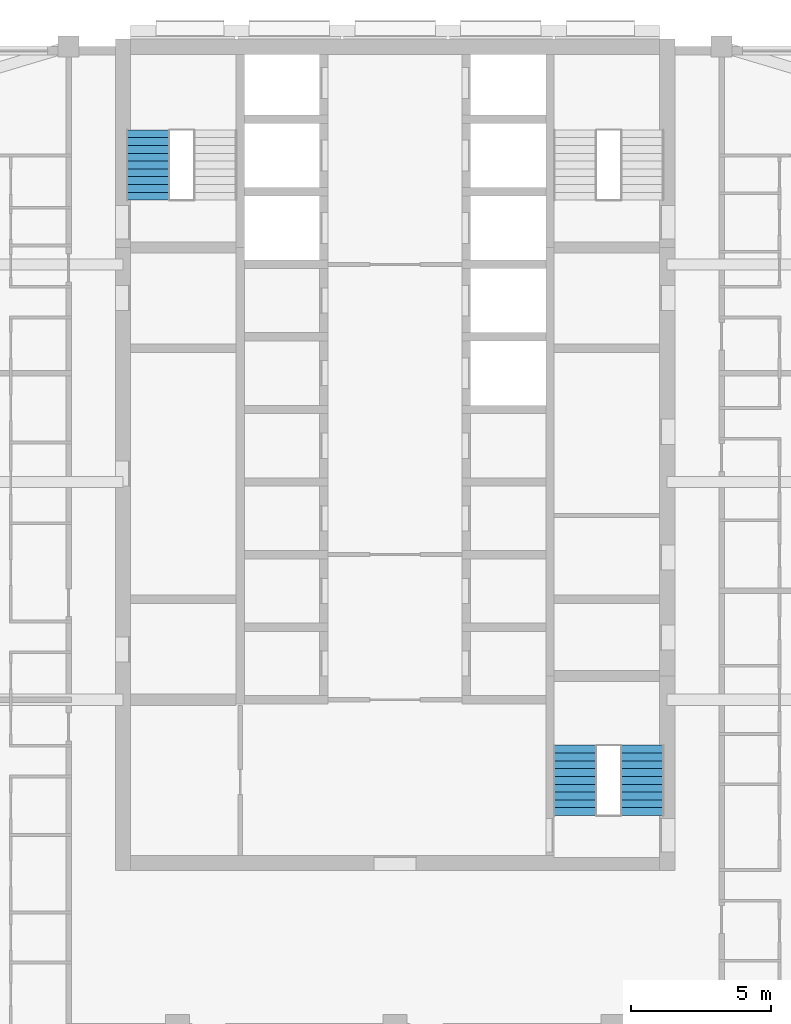
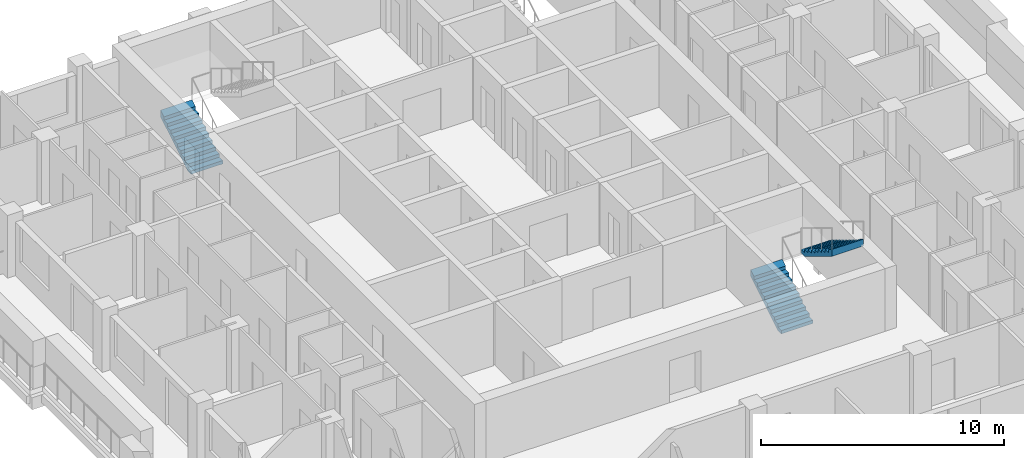
# One storey, part 10 of 13: 3 stair flights, 2 elements without a shape of their own.
"""IFC4 building model written with IfcOpenShell, lengths in metres."""

from ifc_helpers import new_model, si_unit, direction, frame, origin, place, context, subcontext, project, spatial, triangles, material, type_object, element, aggregate, save


model = new_model("IFC4")

# Units and contexts
model_context = context("Model", 3, precision=1e-05, world=origin(), true_north=direction((0.0, 1.0)))
body_context = subcontext(model_context, "Body", "Model", "MODEL_VIEW")
ifc_project = project(units=[si_unit("LENGTHUNIT", "METRE"), si_unit("AREAUNIT", "SQUARE_METRE"), si_unit("VOLUMEUNIT", "CUBIC_METRE"), si_unit("PLANEANGLEUNIT", "RADIAN"), si_unit("MASSUNIT", "GRAM", prefix="KILO")], contexts=[model_context])

# Site, building, storey
site_placement = place(None, origin())
site = spatial("IfcSite", under=ifc_project, at=site_placement, CompositionType="ELEMENT")
building_placement = place(site_placement, origin())
building = spatial("IfcBuilding", under=site, at=building_placement, Name="Ludao Terraces", CompositionType="ELEMENT")
storey_placement = place(building_placement, frame((0.0, 0.0, 155.39990234375)))
storey = spatial("IfcBuildingStorey", under=building, at=storey_placement, Name="L42", CompositionType="ELEMENT", Elevation=155.39990234375)

# Stair, stair flight
ifc_material = material(Name="Concrete C40", Category="concrete")
stair_type = type_object("IfcStairType", Name="INT Stair", PredefinedType="HALF_TURN_STAIR", material=ifc_material)
stair_1_placement = place(storey_placement, origin())
stair_1 = element("IfcStair", 1, at=stair_1_placement, inside=storey, type_object=stair_type, Name="EXIT STAIR 1", PredefinedType="HALF_TURN_STAIR")
stair_flight_type = type_object("IfcStairFlightType", Name="INT Stair flight", PredefinedType="STRAIGHT", material=ifc_material)
stair_flight_1_placement = place(storey_placement, frame((76.14990234375, 79.0, 0.0), z_axis=(0.0, 0.0, 1.0), x_axis=(0.0, 1.0, 0.0)))
stair_flight_1 = element("IfcStairFlight", 2, at=stair_flight_1_placement, type_object=stair_flight_type, Name="ST1 flight 1", NumberOfRisers=10, NumberOfTreads=9, PredefinedType="STRAIGHT", RiserHeight=0.17, TreadLength=0.28, context=body_context, shape_type="Tessellation", body=[
    triangles([(0.0, -0.75, 0.0), (0.0, -0.5, 0.0), (0.0, -0.25, 0.0), (0.0, 0.0, 0.0), (0.0, 0.25, 0.0), (0.0, 0.5, 0.0), (0.0, 0.75, 0.0), (0.0, -0.75, 0.169921875), (0.0, -0.5, 0.169921875), (0.0, -0.25, 0.169921875), (0.0, 0.0, 0.169921875), (0.0, 0.25, 0.169921875), (0.0, 0.5, 0.169921875), (0.0, 0.75, 0.169921875), (0.280029296875, -0.75, 0.169921875), (0.280029296875, -0.5, 0.169921875), (0.280029296875, -0.25, 0.169921875), (0.280029296875, 0.0, 0.169921875), (0.280029296875, 0.25, 0.169921875), (0.280029296875, 0.5, 0.169921875), (0.280029296875, 0.75, 0.169921875), (0.280029296875, -0.75, 0.340087890625), (0.280029296875, -0.5, 0.340087890625), (0.280029296875, -0.25, 0.340087890625), (0.280029296875, 0.0, 0.340087890625), (0.280029296875, 0.25, 0.340087890625), (0.280029296875, 0.5, 0.340087890625), (0.280029296875, 0.75, 0.340087890625), (0.56005859375, -0.75, 0.340087890625), (0.56005859375, -0.5, 0.340087890625), (0.56005859375, -0.25, 0.340087890625), (0.56005859375, 0.0, 0.340087890625), (0.56005859375, 0.25, 0.340087890625), (0.56005859375, 0.5, 0.340087890625), (0.56005859375, 0.75, 0.340087890625), (0.56005859375, -0.75, 0.510009765625), (0.56005859375, -0.5, 0.510009765625), (0.56005859375, -0.25, 0.510009765625), (0.56005859375, 0.0, 0.510009765625), (0.56005859375, 0.25, 0.510009765625), (0.56005859375, 0.5, 0.510009765625), (0.56005859375, 0.75, 0.510009765625), (0.840087890625, -0.75, 0.510009765625), (0.840087890625, -0.5, 0.510009765625), (0.840087890625, -0.25, 0.510009765625), (0.840087890625, 0.0, 0.510009765625), (0.840087890625, 0.25, 0.510009765625), (0.840087890625, 0.5, 0.510009765625), (0.840087890625, 0.75, 0.510009765625), (0.840087890625, -0.75, 0.679931640625), (0.840087890625, -0.5, 0.679931640625), (0.840087890625, -0.25, 0.679931640625), (0.840087890625, 0.0, 0.679931640625), (0.840087890625, 0.25, 0.679931640625), (0.840087890625, 0.5, 0.679931640625), (0.840087890625, 0.75, 0.679931640625), (1.1201171875, -0.75, 0.679931640625), (1.1201171875, -0.5, 0.679931640625), (1.1201171875, -0.25, 0.679931640625), (1.1201171875, 0.0, 0.679931640625), (1.1201171875, 0.25, 0.679931640625), (1.1201171875, 0.5, 0.679931640625), (1.1201171875, 0.75, 0.679931640625), (1.1201171875, -0.75, 0.85009765625), (1.1201171875, -0.5, 0.85009765625), (1.1201171875, -0.25, 0.85009765625), (1.1201171875, 0.0, 0.85009765625), (1.1201171875, 0.25, 0.85009765625), (1.1201171875, 0.5, 0.85009765625), (1.1201171875, 0.75, 0.85009765625), (1.39990234375, -0.75, 0.85009765625), (1.39990234375, -0.5, 0.85009765625), (1.39990234375, -0.25, 0.85009765625), (1.39990234375, 0.0, 0.85009765625), (1.39990234375, 0.25, 0.85009765625), (1.39990234375, 0.5, 0.85009765625), (1.39990234375, 0.75, 0.85009765625), (1.39990234375, -0.75, 1.02001953125), (1.39990234375, -0.5, 1.02001953125), (1.39990234375, -0.25, 1.02001953125), (1.39990234375, 0.0, 1.02001953125), (1.39990234375, 0.25, 1.02001953125), (1.39990234375, 0.5, 1.02001953125), (1.39990234375, 0.75, 1.02001953125), (1.679931640625, -0.75, 1.02001953125), (1.679931640625, -0.5, 1.02001953125), (1.679931640625, -0.25, 1.02001953125), (1.679931640625, 0.0, 1.02001953125), (1.679931640625, 0.25, 1.02001953125), (1.679931640625, 0.5, 1.02001953125), (1.679931640625, 0.75, 1.02001953125), (1.679931640625, -0.75, 1.18994140625), (1.679931640625, -0.5, 1.18994140625), (1.679931640625, -0.25, 1.18994140625), (1.679931640625, 0.0, 1.18994140625), (1.679931640625, 0.25, 1.18994140625), (1.679931640625, 0.5, 1.18994140625), (1.679931640625, 0.75, 1.18994140625), (1.9599609375, -0.75, 1.18994140625), (1.9599609375, -0.5, 1.18994140625), (1.9599609375, -0.25, 1.18994140625), (1.9599609375, 0.0, 1.18994140625), (1.9599609375, 0.25, 1.18994140625), (1.9599609375, 0.5, 1.18994140625), (1.9599609375, 0.75, 1.18994140625), (1.9599609375, -0.75, 1.360107421875), (1.9599609375, -0.5, 1.360107421875), (1.9599609375, -0.25, 1.360107421875), (1.9599609375, 0.0, 1.360107421875), (1.9599609375, 0.25, 1.360107421875), (1.9599609375, 0.5, 1.360107421875), (1.9599609375, 0.75, 1.360107421875), (2.239990234375, -0.75, 1.360107421875), (2.239990234375, -0.5, 1.360107421875), (2.239990234375, -0.25, 1.360107421875), (2.239990234375, 0.0, 1.360107421875), (2.239990234375, 0.25, 1.360107421875), (2.239990234375, 0.5, 1.360107421875), (2.239990234375, 0.75, 1.360107421875), (2.239990234375, -0.75, 1.530029296875), (2.239990234375, -0.5, 1.530029296875), (2.239990234375, -0.25, 1.530029296875), (2.239990234375, 0.0, 1.530029296875), (2.239990234375, 0.25, 1.530029296875), (2.239990234375, 0.5, 1.530029296875), (2.239990234375, 0.75, 1.530029296875), (2.52001953125, -0.75, 1.699951171875), (2.52001953125, -0.5, 1.699951171875), (2.52001953125, -0.25, 1.699951171875), (2.52001953125, 0.0, 1.699951171875), (2.52001953125, 0.25, 1.699951171875), (2.52001953125, 0.5, 1.699951171875), (2.52001953125, 0.75, 1.699951171875), (2.52001953125, -0.75, 1.354736328125), (2.52001953125, -0.5, 1.354736328125), (2.52001953125, -0.25, 1.354736328125), (2.52001953125, 0.0, 1.354736328125), (2.52001953125, 0.25, 1.354736328125), (2.52001953125, 0.5, 1.354736328125), (2.52001953125, 0.75, 1.354736328125), (0.288818359375, -0.75, 0.0), (0.288818359375, -0.5, 0.0), (0.288818359375, -0.25, 0.0), (0.288818359375, 0.0, 0.0), (0.288818359375, 0.25, 0.0), (0.288818359375, 0.5, 0.0), (0.288818359375, 0.75, 0.0)], [[1, 141, 134], [7, 140, 147], [134, 127, 120], [140, 126, 133], [134, 120, 113], [140, 119, 126], [134, 113, 106], [140, 112, 119], [134, 106, 99], [140, 105, 112], [99, 92, 85], [105, 91, 98], [134, 99, 85], [140, 91, 105], [85, 78, 71], [91, 77, 84], [134, 85, 71], [140, 77, 91], [71, 64, 57], [77, 63, 70], [134, 71, 57], [140, 63, 77], [57, 50, 43], [63, 49, 56], [134, 57, 43], [140, 49, 63], [43, 36, 29], [49, 35, 42], [134, 43, 29], [140, 35, 49], [29, 22, 15], [35, 21, 28], [134, 29, 15], [140, 21, 35], [1, 134, 15], [7, 21, 140], [15, 8, 1], [21, 7, 14], [1, 9, 2], [1, 8, 9], [2, 10, 3], [2, 9, 10], [3, 11, 4], [3, 10, 11], [4, 12, 5], [4, 11, 12], [5, 13, 6], [5, 12, 13], [6, 14, 7], [6, 13, 14], [8, 16, 9], [8, 15, 16], [9, 17, 10], [9, 16, 17], [10, 18, 11], [10, 17, 18], [11, 19, 12], [11, 18, 19], [12, 20, 13], [12, 19, 20], [13, 21, 14], [13, 20, 21], [15, 23, 16], [15, 22, 23], [16, 24, 17], [16, 23, 24], [17, 25, 18], [17, 24, 25], [18, 26, 19], [18, 25, 26], [19, 27, 20], [19, 26, 27], [20, 28, 21], [20, 27, 28], [22, 30, 23], [22, 29, 30], [23, 31, 24], [23, 30, 31], [24, 32, 25], [24, 31, 32], [25, 33, 26], [25, 32, 33], [26, 34, 27], [26, 33, 34], [27, 35, 28], [27, 34, 35], [29, 37, 30], [29, 36, 37], [30, 38, 31], [30, 37, 38], [31, 39, 32], [31, 38, 39], [32, 40, 33], [32, 39, 40], [33, 41, 34], [33, 40, 41], [34, 42, 35], [34, 41, 42], [36, 44, 37], [36, 43, 44], [37, 45, 38], [37, 44, 45], [38, 46, 39], [38, 45, 46], [39, 47, 40], [39, 46, 47], [40, 48, 41], [40, 47, 48], [41, 49, 42], [41, 48, 49], [43, 51, 44], [43, 50, 51], [44, 52, 45], [44, 51, 52], [45, 53, 46], [45, 52, 53], [46, 54, 47], [46, 53, 54], [47, 55, 48], [47, 54, 55], [48, 56, 49], [48, 55, 56], [50, 58, 51], [50, 57, 58], [51, 59, 52], [51, 58, 59], [52, 60, 53], [52, 59, 60], [53, 61, 54], [53, 60, 61], [54, 62, 55], [54, 61, 62], [55, 63, 56], [55, 62, 63], [57, 65, 58], [57, 64, 65], [58, 66, 59], [58, 65, 66], [59, 67, 60], [59, 66, 67], [60, 68, 61], [60, 67, 68], [61, 69, 62], [61, 68, 69], [62, 70, 63], [62, 69, 70], [64, 72, 65], [64, 71, 72], [65, 73, 66], [65, 72, 73], [66, 74, 67], [66, 73, 74], [67, 75, 68], [67, 74, 75], [68, 76, 69], [68, 75, 76], [69, 77, 70], [69, 76, 77], [71, 79, 72], [71, 78, 79], [72, 80, 73], [72, 79, 80], [73, 81, 74], [73, 80, 81], [74, 82, 75], [74, 81, 82], [75, 83, 76], [75, 82, 83], [76, 84, 77], [76, 83, 84], [78, 86, 79], [78, 85, 86], [79, 87, 80], [79, 86, 87], [80, 88, 81], [80, 87, 88], [81, 89, 82], [81, 88, 89], [82, 90, 83], [82, 89, 90], [83, 91, 84], [83, 90, 91], [85, 93, 86], [85, 92, 93], [86, 94, 87], [86, 93, 94], [87, 95, 88], [87, 94, 95], [88, 96, 89], [88, 95, 96], [89, 97, 90], [89, 96, 97], [90, 98, 91], [90, 97, 98], [92, 100, 93], [92, 99, 100], [93, 101, 94], [93, 100, 101], [94, 102, 95], [94, 101, 102], [95, 103, 96], [95, 102, 103], [96, 104, 97], [96, 103, 104], [97, 105, 98], [97, 104, 105], [99, 107, 100], [99, 106, 107], [100, 108, 101], [100, 107, 108], [101, 109, 102], [101, 108, 109], [102, 110, 103], [102, 109, 110], [103, 111, 104], [103, 110, 111], [104, 112, 105], [104, 111, 112], [106, 114, 107], [106, 113, 114], [107, 115, 108], [107, 114, 115], [108, 116, 109], [108, 115, 116], [109, 117, 110], [109, 116, 117], [110, 118, 111], [110, 117, 118], [111, 119, 112], [111, 118, 119], [113, 121, 114], [113, 120, 121], [114, 122, 115], [114, 121, 122], [115, 123, 116], [115, 122, 123], [116, 124, 117], [116, 123, 124], [117, 125, 118], [117, 124, 125], [118, 126, 119], [118, 125, 126], [120, 128, 121], [120, 127, 128], [121, 129, 122], [121, 128, 129], [122, 130, 123], [122, 129, 130], [123, 131, 124], [123, 130, 131], [124, 132, 125], [124, 131, 132], [125, 133, 126], [125, 132, 133], [127, 135, 128], [127, 134, 135], [128, 136, 129], [128, 135, 136], [129, 137, 130], [129, 136, 137], [130, 138, 131], [130, 137, 138], [131, 139, 132], [131, 138, 139], [132, 140, 133], [132, 139, 140], [134, 142, 135], [134, 141, 142], [135, 143, 136], [135, 142, 143], [136, 144, 137], [136, 143, 144], [137, 145, 138], [137, 144, 145], [138, 146, 139], [138, 145, 146], [139, 147, 140], [139, 146, 147], [141, 2, 142], [141, 1, 2], [142, 3, 143], [142, 2, 3], [143, 4, 144], [143, 3, 4], [144, 5, 145], [144, 4, 5], [145, 6, 146], [145, 5, 6], [146, 7, 147], [146, 6, 7]], closed=True),
])
aggregate(stair_1, [stair_flight_1])

# Stair, stair flights
stair_2_placement = place(storey_placement, origin())
stair_2 = element("IfcStair", 3, at=stair_2_placement, inside=storey, type_object=stair_type, Name="EXIT STAIR 3", PredefinedType="HALF_TURN_STAIR")
stair_flight_2_placement = place(storey_placement, frame((91.449951171875, 56.949951171875, 0.0), z_axis=(0.0, 0.0, 1.0), x_axis=(0.0, 1.0, 0.0)))
stair_flight_2 = element("IfcStairFlight", 4, at=stair_flight_2_placement, type_object=stair_flight_type, Name="ST3 flight 1", NumberOfRisers=10, NumberOfTreads=9, PredefinedType="STRAIGHT", RiserHeight=0.17, TreadLength=0.28, context=body_context, shape_type="Tessellation", body=[
    triangles([(0.0, -0.75, 0.0), (0.0, -0.5, 0.0), (0.0, -0.25, 0.0), (0.0, 0.0, 0.0), (0.0, 0.25, 0.0), (0.0, 0.5, 0.0), (0.0, 0.75, 0.0), (0.0, -0.75, 0.169921875), (0.0, -0.5, 0.169921875), (0.0, -0.25, 0.169921875), (0.0, 0.0, 0.169921875), (0.0, 0.25, 0.169921875), (0.0, 0.5, 0.169921875), (0.0, 0.75, 0.169921875), (0.280029296875, -0.75, 0.169921875), (0.280029296875, -0.5, 0.169921875), (0.280029296875, -0.25, 0.169921875), (0.280029296875, 0.0, 0.169921875), (0.280029296875, 0.25, 0.169921875), (0.280029296875, 0.5, 0.169921875), (0.280029296875, 0.75, 0.169921875), (0.280029296875, -0.75, 0.340087890625), (0.280029296875, -0.5, 0.340087890625), (0.280029296875, -0.25, 0.340087890625), (0.280029296875, 0.0, 0.340087890625), (0.280029296875, 0.25, 0.340087890625), (0.280029296875, 0.5, 0.340087890625), (0.280029296875, 0.75, 0.340087890625), (0.56005859375, -0.75, 0.340087890625), (0.56005859375, -0.5, 0.340087890625), (0.56005859375, -0.25, 0.340087890625), (0.56005859375, 0.0, 0.340087890625), (0.56005859375, 0.25, 0.340087890625), (0.56005859375, 0.5, 0.340087890625), (0.56005859375, 0.75, 0.340087890625), (0.56005859375, -0.75, 0.510009765625), (0.56005859375, -0.5, 0.510009765625), (0.56005859375, -0.25, 0.510009765625), (0.56005859375, 0.0, 0.510009765625), (0.56005859375, 0.25, 0.510009765625), (0.56005859375, 0.5, 0.510009765625), (0.56005859375, 0.75, 0.510009765625), (0.840087890625, -0.75, 0.510009765625), (0.840087890625, -0.5, 0.510009765625), (0.840087890625, -0.25, 0.510009765625), (0.840087890625, 0.0, 0.510009765625), (0.840087890625, 0.25, 0.510009765625), (0.840087890625, 0.5, 0.510009765625), (0.840087890625, 0.75, 0.510009765625), (0.840087890625, -0.75, 0.679931640625), (0.840087890625, -0.5, 0.679931640625), (0.840087890625, -0.25, 0.679931640625), (0.840087890625, 0.0, 0.679931640625), (0.840087890625, 0.25, 0.679931640625), (0.840087890625, 0.5, 0.679931640625), (0.840087890625, 0.75, 0.679931640625), (1.1201171875, -0.75, 0.679931640625), (1.1201171875, -0.5, 0.679931640625), (1.1201171875, -0.25, 0.679931640625), (1.1201171875, 0.0, 0.679931640625), (1.1201171875, 0.25, 0.679931640625), (1.1201171875, 0.5, 0.679931640625), (1.1201171875, 0.75, 0.679931640625), (1.1201171875, -0.75, 0.85009765625), (1.1201171875, -0.5, 0.85009765625), (1.1201171875, -0.25, 0.85009765625), (1.1201171875, 0.0, 0.85009765625), (1.1201171875, 0.25, 0.85009765625), (1.1201171875, 0.5, 0.85009765625), (1.1201171875, 0.75, 0.85009765625), (1.39990234375, -0.75, 0.85009765625), (1.39990234375, -0.5, 0.85009765625), (1.39990234375, -0.25, 0.85009765625), (1.39990234375, 0.0, 0.85009765625), (1.39990234375, 0.25, 0.85009765625), (1.39990234375, 0.5, 0.85009765625), (1.39990234375, 0.75, 0.85009765625), (1.39990234375, -0.75, 1.02001953125), (1.39990234375, -0.5, 1.02001953125), (1.39990234375, -0.25, 1.02001953125), (1.39990234375, 0.0, 1.02001953125), (1.39990234375, 0.25, 1.02001953125), (1.39990234375, 0.5, 1.02001953125), (1.39990234375, 0.75, 1.02001953125), (1.679931640625, -0.75, 1.02001953125), (1.679931640625, -0.5, 1.02001953125), (1.679931640625, -0.25, 1.02001953125), (1.679931640625, 0.0, 1.02001953125), (1.679931640625, 0.25, 1.02001953125), (1.679931640625, 0.5, 1.02001953125), (1.679931640625, 0.75, 1.02001953125), (1.679931640625, -0.75, 1.18994140625), (1.679931640625, -0.5, 1.18994140625), (1.679931640625, -0.25, 1.18994140625), (1.679931640625, 0.0, 1.18994140625), (1.679931640625, 0.25, 1.18994140625), (1.679931640625, 0.5, 1.18994140625), (1.679931640625, 0.75, 1.18994140625), (1.9599609375, -0.75, 1.18994140625), (1.9599609375, -0.5, 1.18994140625), (1.9599609375, -0.25, 1.18994140625), (1.9599609375, 0.0, 1.18994140625), (1.9599609375, 0.25, 1.18994140625), (1.9599609375, 0.5, 1.18994140625), (1.9599609375, 0.75, 1.18994140625), (1.9599609375, -0.75, 1.360107421875), (1.9599609375, -0.5, 1.360107421875), (1.9599609375, -0.25, 1.360107421875), (1.9599609375, 0.0, 1.360107421875), (1.9599609375, 0.25, 1.360107421875), (1.9599609375, 0.5, 1.360107421875), (1.9599609375, 0.75, 1.360107421875), (2.239990234375, -0.75, 1.360107421875), (2.239990234375, -0.5, 1.360107421875), (2.239990234375, -0.25, 1.360107421875), (2.239990234375, 0.0, 1.360107421875), (2.239990234375, 0.25, 1.360107421875), (2.239990234375, 0.5, 1.360107421875), (2.239990234375, 0.75, 1.360107421875), (2.239990234375, -0.75, 1.530029296875), (2.239990234375, -0.5, 1.530029296875), (2.239990234375, -0.25, 1.530029296875), (2.239990234375, 0.0, 1.530029296875), (2.239990234375, 0.25, 1.530029296875), (2.239990234375, 0.5, 1.530029296875), (2.239990234375, 0.75, 1.530029296875), (2.52001953125, -0.75, 1.699951171875), (2.52001953125, -0.5, 1.699951171875), (2.52001953125, -0.25, 1.699951171875), (2.52001953125, 0.0, 1.699951171875), (2.52001953125, 0.25, 1.699951171875), (2.52001953125, 0.5, 1.699951171875), (2.52001953125, 0.75, 1.699951171875), (2.52001953125, -0.75, 1.354736328125), (2.52001953125, -0.5, 1.354736328125), (2.52001953125, -0.25, 1.354736328125), (2.52001953125, 0.0, 1.354736328125), (2.52001953125, 0.25, 1.354736328125), (2.52001953125, 0.5, 1.354736328125), (2.52001953125, 0.75, 1.354736328125), (0.288818359375, -0.75, 0.0), (0.288818359375, -0.5, 0.0), (0.288818359375, -0.25, 0.0), (0.288818359375, 0.0, 0.0), (0.288818359375, 0.25, 0.0), (0.288818359375, 0.5, 0.0), (0.288818359375, 0.75, 0.0)], [[1, 141, 134], [7, 140, 147], [134, 127, 120], [140, 126, 133], [134, 120, 113], [140, 119, 126], [134, 113, 106], [140, 112, 119], [134, 106, 99], [140, 105, 112], [99, 92, 85], [105, 91, 98], [134, 99, 85], [140, 91, 105], [85, 78, 71], [91, 77, 84], [134, 85, 71], [140, 77, 91], [71, 64, 57], [77, 63, 70], [134, 71, 57], [140, 63, 77], [57, 50, 43], [63, 49, 56], [134, 57, 43], [140, 49, 63], [43, 36, 29], [49, 35, 42], [134, 43, 29], [140, 35, 49], [29, 22, 15], [35, 21, 28], [134, 29, 15], [140, 21, 35], [1, 134, 15], [7, 21, 140], [15, 8, 1], [21, 7, 14], [1, 9, 2], [1, 8, 9], [2, 10, 3], [2, 9, 10], [3, 11, 4], [3, 10, 11], [4, 12, 5], [4, 11, 12], [5, 13, 6], [5, 12, 13], [6, 14, 7], [6, 13, 14], [8, 16, 9], [8, 15, 16], [9, 17, 10], [9, 16, 17], [10, 18, 11], [10, 17, 18], [11, 19, 12], [11, 18, 19], [12, 20, 13], [12, 19, 20], [13, 21, 14], [13, 20, 21], [15, 23, 16], [15, 22, 23], [16, 24, 17], [16, 23, 24], [17, 25, 18], [17, 24, 25], [18, 26, 19], [18, 25, 26], [19, 27, 20], [19, 26, 27], [20, 28, 21], [20, 27, 28], [22, 30, 23], [22, 29, 30], [23, 31, 24], [23, 30, 31], [24, 32, 25], [24, 31, 32], [25, 33, 26], [25, 32, 33], [26, 34, 27], [26, 33, 34], [27, 35, 28], [27, 34, 35], [29, 37, 30], [29, 36, 37], [30, 38, 31], [30, 37, 38], [31, 39, 32], [31, 38, 39], [32, 40, 33], [32, 39, 40], [33, 41, 34], [33, 40, 41], [34, 42, 35], [34, 41, 42], [36, 44, 37], [36, 43, 44], [37, 45, 38], [37, 44, 45], [38, 46, 39], [38, 45, 46], [39, 47, 40], [39, 46, 47], [40, 48, 41], [40, 47, 48], [41, 49, 42], [41, 48, 49], [43, 51, 44], [43, 50, 51], [44, 52, 45], [44, 51, 52], [45, 53, 46], [45, 52, 53], [46, 54, 47], [46, 53, 54], [47, 55, 48], [47, 54, 55], [48, 56, 49], [48, 55, 56], [50, 58, 51], [50, 57, 58], [51, 59, 52], [51, 58, 59], [52, 60, 53], [52, 59, 60], [53, 61, 54], [53, 60, 61], [54, 62, 55], [54, 61, 62], [55, 63, 56], [55, 62, 63], [57, 65, 58], [57, 64, 65], [58, 66, 59], [58, 65, 66], [59, 67, 60], [59, 66, 67], [60, 68, 61], [60, 67, 68], [61, 69, 62], [61, 68, 69], [62, 70, 63], [62, 69, 70], [64, 72, 65], [64, 71, 72], [65, 73, 66], [65, 72, 73], [66, 74, 67], [66, 73, 74], [67, 75, 68], [67, 74, 75], [68, 76, 69], [68, 75, 76], [69, 77, 70], [69, 76, 77], [71, 79, 72], [71, 78, 79], [72, 80, 73], [72, 79, 80], [73, 81, 74], [73, 80, 81], [74, 82, 75], [74, 81, 82], [75, 83, 76], [75, 82, 83], [76, 84, 77], [76, 83, 84], [78, 86, 79], [78, 85, 86], [79, 87, 80], [79, 86, 87], [80, 88, 81], [80, 87, 88], [81, 89, 82], [81, 88, 89], [82, 90, 83], [82, 89, 90], [83, 91, 84], [83, 90, 91], [85, 93, 86], [85, 92, 93], [86, 94, 87], [86, 93, 94], [87, 95, 88], [87, 94, 95], [88, 96, 89], [88, 95, 96], [89, 97, 90], [89, 96, 97], [90, 98, 91], [90, 97, 98], [92, 100, 93], [92, 99, 100], [93, 101, 94], [93, 100, 101], [94, 102, 95], [94, 101, 102], [95, 103, 96], [95, 102, 103], [96, 104, 97], [96, 103, 104], [97, 105, 98], [97, 104, 105], [99, 107, 100], [99, 106, 107], [100, 108, 101], [100, 107, 108], [101, 109, 102], [101, 108, 109], [102, 110, 103], [102, 109, 110], [103, 111, 104], [103, 110, 111], [104, 112, 105], [104, 111, 112], [106, 114, 107], [106, 113, 114], [107, 115, 108], [107, 114, 115], [108, 116, 109], [108, 115, 116], [109, 117, 110], [109, 116, 117], [110, 118, 111], [110, 117, 118], [111, 119, 112], [111, 118, 119], [113, 121, 114], [113, 120, 121], [114, 122, 115], [114, 121, 122], [115, 123, 116], [115, 122, 123], [116, 124, 117], [116, 123, 124], [117, 125, 118], [117, 124, 125], [118, 126, 119], [118, 125, 126], [120, 128, 121], [120, 127, 128], [121, 129, 122], [121, 128, 129], [122, 130, 123], [122, 129, 130], [123, 131, 124], [123, 130, 131], [124, 132, 125], [124, 131, 132], [125, 133, 126], [125, 132, 133], [127, 135, 128], [127, 134, 135], [128, 136, 129], [128, 135, 136], [129, 137, 130], [129, 136, 137], [130, 138, 131], [130, 137, 138], [131, 139, 132], [131, 138, 139], [132, 140, 133], [132, 139, 140], [134, 142, 135], [134, 141, 142], [135, 143, 136], [135, 142, 143], [136, 144, 137], [136, 143, 144], [137, 145, 138], [137, 144, 145], [138, 146, 139], [138, 145, 146], [139, 147, 140], [139, 146, 147], [141, 2, 142], [141, 1, 2], [142, 3, 143], [142, 2, 3], [143, 4, 144], [143, 3, 4], [144, 5, 145], [144, 4, 5], [145, 6, 146], [145, 5, 6], [146, 7, 147], [146, 6, 7]], closed=True),
])
stair_flight_3_placement = place(storey_placement, frame((93.85009765625, 59.469970703125, 1.7001953125), z_axis=(0.0, 0.0, 1.0), x_axis=(0.0, -1.0, 0.0)))
stair_flight_3 = element("IfcStairFlight", 5, at=stair_flight_3_placement, type_object=stair_flight_type, Name="ST3 flight 2", NumberOfRisers=10, NumberOfTreads=9, PredefinedType="STRAIGHT", RiserHeight=0.17, TreadLength=0.28, context=body_context, shape_type="Tessellation", body=[
    triangles([(0.0, -0.75, 0.0), (0.0, -0.5, 0.0), (0.0, -0.25, 0.0), (0.0, 0.0, 0.0), (0.0, 0.25, 0.0), (0.0, 0.5, 0.0), (0.0, 0.75, 0.0), (0.0, -0.75, 0.169921875), (0.0, -0.5, 0.169921875), (0.0, -0.25, 0.169921875), (0.0, 0.0, 0.169921875), (0.0, 0.25, 0.169921875), (0.0, 0.5, 0.169921875), (0.0, 0.75, 0.169921875), (0.280029296875, -0.75, 0.169921875), (0.280029296875, -0.5, 0.169921875), (0.280029296875, -0.25, 0.169921875), (0.280029296875, 0.0, 0.169921875), (0.280029296875, 0.25, 0.169921875), (0.280029296875, 0.5, 0.169921875), (0.280029296875, 0.75, 0.169921875), (0.280029296875, -0.75, 0.340087890625), (0.280029296875, -0.5, 0.340087890625), (0.280029296875, -0.25, 0.340087890625), (0.280029296875, 0.0, 0.340087890625), (0.280029296875, 0.25, 0.340087890625), (0.280029296875, 0.5, 0.340087890625), (0.280029296875, 0.75, 0.340087890625), (0.56005859375, -0.75, 0.340087890625), (0.56005859375, -0.5, 0.340087890625), (0.56005859375, -0.25, 0.340087890625), (0.56005859375, 0.0, 0.340087890625), (0.56005859375, 0.25, 0.340087890625), (0.56005859375, 0.5, 0.340087890625), (0.56005859375, 0.75, 0.340087890625), (0.56005859375, -0.75, 0.510009765625), (0.56005859375, -0.5, 0.510009765625), (0.56005859375, -0.25, 0.510009765625), (0.56005859375, 0.0, 0.510009765625), (0.56005859375, 0.25, 0.510009765625), (0.56005859375, 0.5, 0.510009765625), (0.56005859375, 0.75, 0.510009765625), (0.840087890625, -0.75, 0.510009765625), (0.840087890625, -0.5, 0.510009765625), (0.840087890625, -0.25, 0.510009765625), (0.840087890625, 0.0, 0.510009765625), (0.840087890625, 0.25, 0.510009765625), (0.840087890625, 0.5, 0.510009765625), (0.840087890625, 0.75, 0.510009765625), (0.840087890625, -0.75, 0.679931640625), (0.840087890625, -0.5, 0.679931640625), (0.840087890625, -0.25, 0.679931640625), (0.840087890625, 0.0, 0.679931640625), (0.840087890625, 0.25, 0.679931640625), (0.840087890625, 0.5, 0.679931640625), (0.840087890625, 0.75, 0.679931640625), (1.1201171875, -0.75, 0.679931640625), (1.1201171875, -0.5, 0.679931640625), (1.1201171875, -0.25, 0.679931640625), (1.1201171875, 0.0, 0.679931640625), (1.1201171875, 0.25, 0.679931640625), (1.1201171875, 0.5, 0.679931640625), (1.1201171875, 0.75, 0.679931640625), (1.1201171875, -0.75, 0.85009765625), (1.1201171875, -0.5, 0.85009765625), (1.1201171875, -0.25, 0.85009765625), (1.1201171875, 0.0, 0.85009765625), (1.1201171875, 0.25, 0.85009765625), (1.1201171875, 0.5, 0.85009765625), (1.1201171875, 0.75, 0.85009765625), (1.39990234375, -0.75, 0.85009765625), (1.39990234375, -0.5, 0.85009765625), (1.39990234375, -0.25, 0.85009765625), (1.39990234375, 0.0, 0.85009765625), (1.39990234375, 0.25, 0.85009765625), (1.39990234375, 0.5, 0.85009765625), (1.39990234375, 0.75, 0.85009765625), (1.39990234375, -0.75, 1.02001953125), (1.39990234375, -0.5, 1.02001953125), (1.39990234375, -0.25, 1.02001953125), (1.39990234375, 0.0, 1.02001953125), (1.39990234375, 0.25, 1.02001953125), (1.39990234375, 0.5, 1.02001953125), (1.39990234375, 0.75, 1.02001953125), (1.679931640625, -0.75, 1.02001953125), (1.679931640625, -0.5, 1.02001953125), (1.679931640625, -0.25, 1.02001953125), (1.679931640625, 0.0, 1.02001953125), (1.679931640625, 0.25, 1.02001953125), (1.679931640625, 0.5, 1.02001953125), (1.679931640625, 0.75, 1.02001953125), (1.679931640625, -0.75, 1.18994140625), (1.679931640625, -0.5, 1.18994140625), (1.679931640625, -0.25, 1.18994140625), (1.679931640625, 0.0, 1.18994140625), (1.679931640625, 0.25, 1.18994140625), (1.679931640625, 0.5, 1.18994140625), (1.679931640625, 0.75, 1.18994140625), (1.9599609375, -0.75, 1.18994140625), (1.9599609375, -0.5, 1.18994140625), (1.9599609375, -0.25, 1.18994140625), (1.9599609375, 0.0, 1.18994140625), (1.9599609375, 0.25, 1.18994140625), (1.9599609375, 0.5, 1.18994140625), (1.9599609375, 0.75, 1.18994140625), (1.9599609375, -0.75, 1.360107421875), (1.9599609375, -0.5, 1.360107421875), (1.9599609375, -0.25, 1.360107421875), (1.9599609375, 0.0, 1.360107421875), (1.9599609375, 0.25, 1.360107421875), (1.9599609375, 0.5, 1.360107421875), (1.9599609375, 0.75, 1.360107421875), (2.239990234375, -0.75, 1.360107421875), (2.239990234375, -0.5, 1.360107421875), (2.239990234375, -0.25, 1.360107421875), (2.239990234375, 0.0, 1.360107421875), (2.239990234375, 0.25, 1.360107421875), (2.239990234375, 0.5, 1.360107421875), (2.239990234375, 0.75, 1.360107421875), (2.239990234375, -0.75, 1.530029296875), (2.239990234375, -0.5, 1.530029296875), (2.239990234375, -0.25, 1.530029296875), (2.239990234375, 0.0, 1.530029296875), (2.239990234375, 0.25, 1.530029296875), (2.239990234375, 0.5, 1.530029296875), (2.239990234375, 0.75, 1.530029296875), (2.52001953125, -0.75, 1.699951171875), (2.52001953125, -0.5, 1.699951171875), (2.52001953125, -0.25, 1.699951171875), (2.52001953125, 0.0, 1.699951171875), (2.52001953125, 0.25, 1.699951171875), (2.52001953125, 0.5, 1.699951171875), (2.52001953125, 0.75, 1.699951171875), (2.52001953125, -0.75, 1.354736328125), (2.52001953125, -0.5, 1.354736328125), (2.52001953125, -0.25, 1.354736328125), (2.52001953125, 0.0, 1.354736328125), (2.52001953125, 0.25, 1.354736328125), (2.52001953125, 0.5, 1.354736328125), (2.52001953125, 0.75, 1.354736328125), (0.288818359375, -0.75, 0.0), (0.288818359375, -0.5, 0.0), (0.288818359375, -0.25, 0.0), (0.288818359375, 0.0, 0.0), (0.288818359375, 0.25, 0.0), (0.288818359375, 0.5, 0.0), (0.288818359375, 0.75, 0.0)], [[1, 141, 134], [7, 140, 147], [134, 127, 120], [140, 126, 133], [134, 120, 113], [140, 119, 126], [134, 113, 106], [140, 112, 119], [134, 106, 99], [140, 105, 112], [99, 92, 85], [105, 91, 98], [134, 99, 85], [140, 91, 105], [85, 78, 71], [91, 77, 84], [134, 85, 71], [140, 77, 91], [71, 64, 57], [77, 63, 70], [134, 71, 57], [140, 63, 77], [57, 50, 43], [63, 49, 56], [134, 57, 43], [140, 49, 63], [43, 36, 29], [49, 35, 42], [134, 43, 29], [140, 35, 49], [29, 22, 15], [35, 21, 28], [134, 29, 15], [140, 21, 35], [1, 134, 15], [7, 21, 140], [15, 8, 1], [21, 7, 14], [1, 9, 2], [1, 8, 9], [2, 10, 3], [2, 9, 10], [3, 11, 4], [3, 10, 11], [4, 12, 5], [4, 11, 12], [5, 13, 6], [5, 12, 13], [6, 14, 7], [6, 13, 14], [8, 16, 9], [8, 15, 16], [9, 17, 10], [9, 16, 17], [10, 18, 11], [10, 17, 18], [11, 19, 12], [11, 18, 19], [12, 20, 13], [12, 19, 20], [13, 21, 14], [13, 20, 21], [15, 23, 16], [15, 22, 23], [16, 24, 17], [16, 23, 24], [17, 25, 18], [17, 24, 25], [18, 26, 19], [18, 25, 26], [19, 27, 20], [19, 26, 27], [20, 28, 21], [20, 27, 28], [22, 30, 23], [22, 29, 30], [23, 31, 24], [23, 30, 31], [24, 32, 25], [24, 31, 32], [25, 33, 26], [25, 32, 33], [26, 34, 27], [26, 33, 34], [27, 35, 28], [27, 34, 35], [29, 37, 30], [29, 36, 37], [30, 38, 31], [30, 37, 38], [31, 39, 32], [31, 38, 39], [32, 40, 33], [32, 39, 40], [33, 41, 34], [33, 40, 41], [34, 42, 35], [34, 41, 42], [36, 44, 37], [36, 43, 44], [37, 45, 38], [37, 44, 45], [38, 46, 39], [38, 45, 46], [39, 47, 40], [39, 46, 47], [40, 48, 41], [40, 47, 48], [41, 49, 42], [41, 48, 49], [43, 51, 44], [43, 50, 51], [44, 52, 45], [44, 51, 52], [45, 53, 46], [45, 52, 53], [46, 54, 47], [46, 53, 54], [47, 55, 48], [47, 54, 55], [48, 56, 49], [48, 55, 56], [50, 58, 51], [50, 57, 58], [51, 59, 52], [51, 58, 59], [52, 60, 53], [52, 59, 60], [53, 61, 54], [53, 60, 61], [54, 62, 55], [54, 61, 62], [55, 63, 56], [55, 62, 63], [57, 65, 58], [57, 64, 65], [58, 66, 59], [58, 65, 66], [59, 67, 60], [59, 66, 67], [60, 68, 61], [60, 67, 68], [61, 69, 62], [61, 68, 69], [62, 70, 63], [62, 69, 70], [64, 72, 65], [64, 71, 72], [65, 73, 66], [65, 72, 73], [66, 74, 67], [66, 73, 74], [67, 75, 68], [67, 74, 75], [68, 76, 69], [68, 75, 76], [69, 77, 70], [69, 76, 77], [71, 79, 72], [71, 78, 79], [72, 80, 73], [72, 79, 80], [73, 81, 74], [73, 80, 81], [74, 82, 75], [74, 81, 82], [75, 83, 76], [75, 82, 83], [76, 84, 77], [76, 83, 84], [78, 86, 79], [78, 85, 86], [79, 87, 80], [79, 86, 87], [80, 88, 81], [80, 87, 88], [81, 89, 82], [81, 88, 89], [82, 90, 83], [82, 89, 90], [83, 91, 84], [83, 90, 91], [85, 93, 86], [85, 92, 93], [86, 94, 87], [86, 93, 94], [87, 95, 88], [87, 94, 95], [88, 96, 89], [88, 95, 96], [89, 97, 90], [89, 96, 97], [90, 98, 91], [90, 97, 98], [92, 100, 93], [92, 99, 100], [93, 101, 94], [93, 100, 101], [94, 102, 95], [94, 101, 102], [95, 103, 96], [95, 102, 103], [96, 104, 97], [96, 103, 104], [97, 105, 98], [97, 104, 105], [99, 107, 100], [99, 106, 107], [100, 108, 101], [100, 107, 108], [101, 109, 102], [101, 108, 109], [102, 110, 103], [102, 109, 110], [103, 111, 104], [103, 110, 111], [104, 112, 105], [104, 111, 112], [106, 114, 107], [106, 113, 114], [107, 115, 108], [107, 114, 115], [108, 116, 109], [108, 115, 116], [109, 117, 110], [109, 116, 117], [110, 118, 111], [110, 117, 118], [111, 119, 112], [111, 118, 119], [113, 121, 114], [113, 120, 121], [114, 122, 115], [114, 121, 122], [115, 123, 116], [115, 122, 123], [116, 124, 117], [116, 123, 124], [117, 125, 118], [117, 124, 125], [118, 126, 119], [118, 125, 126], [120, 128, 121], [120, 127, 128], [121, 129, 122], [121, 128, 129], [122, 130, 123], [122, 129, 130], [123, 131, 124], [123, 130, 131], [124, 132, 125], [124, 131, 132], [125, 133, 126], [125, 132, 133], [127, 135, 128], [127, 134, 135], [128, 136, 129], [128, 135, 136], [129, 137, 130], [129, 136, 137], [130, 138, 131], [130, 137, 138], [131, 139, 132], [131, 138, 139], [132, 140, 133], [132, 139, 140], [134, 142, 135], [134, 141, 142], [135, 143, 136], [135, 142, 143], [136, 144, 137], [136, 143, 144], [137, 145, 138], [137, 144, 145], [138, 146, 139], [138, 145, 146], [139, 147, 140], [139, 146, 147], [141, 2, 142], [141, 1, 2], [142, 3, 143], [142, 2, 3], [143, 4, 144], [143, 3, 4], [144, 5, 145], [144, 4, 5], [145, 6, 146], [145, 5, 6], [146, 7, 147], [146, 6, 7]], closed=True),
])
aggregate(stair_2, [stair_flight_2, stair_flight_3])

save(model, "model.ifc")
